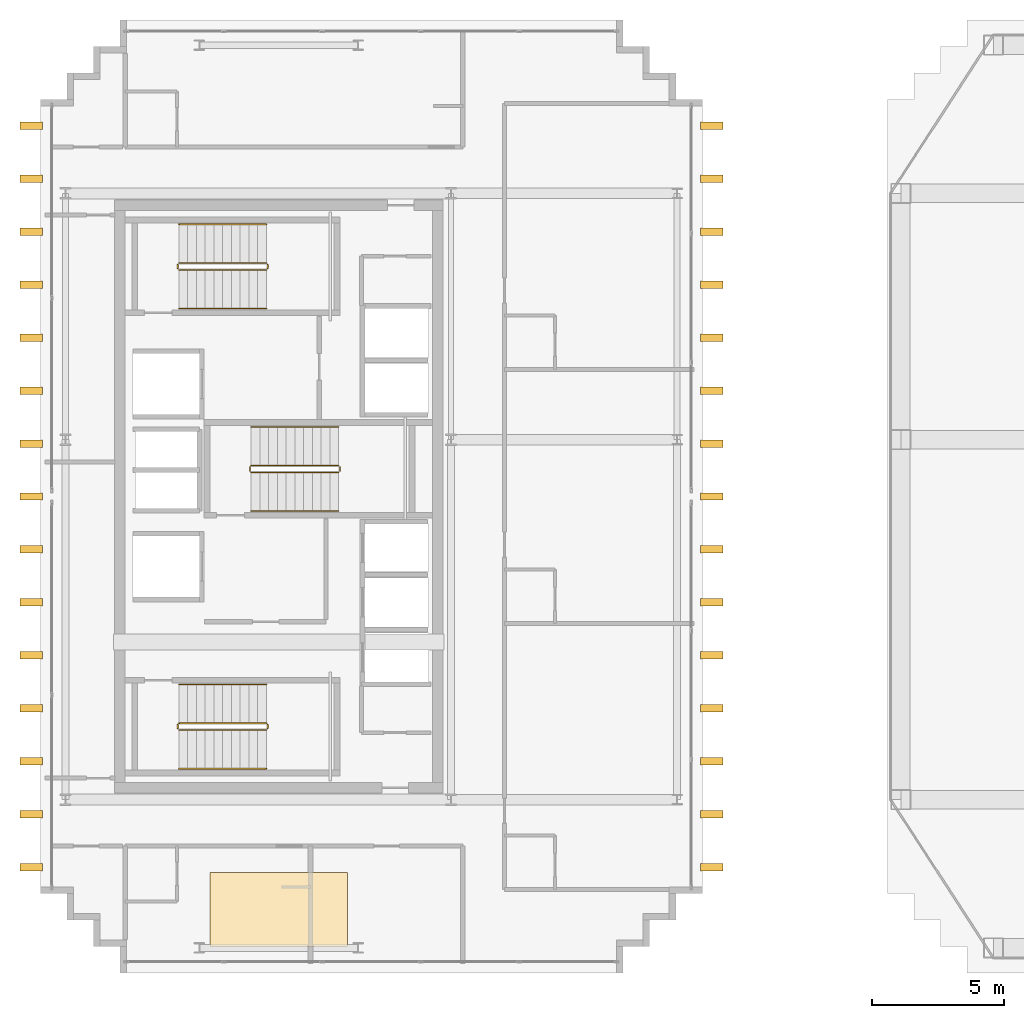
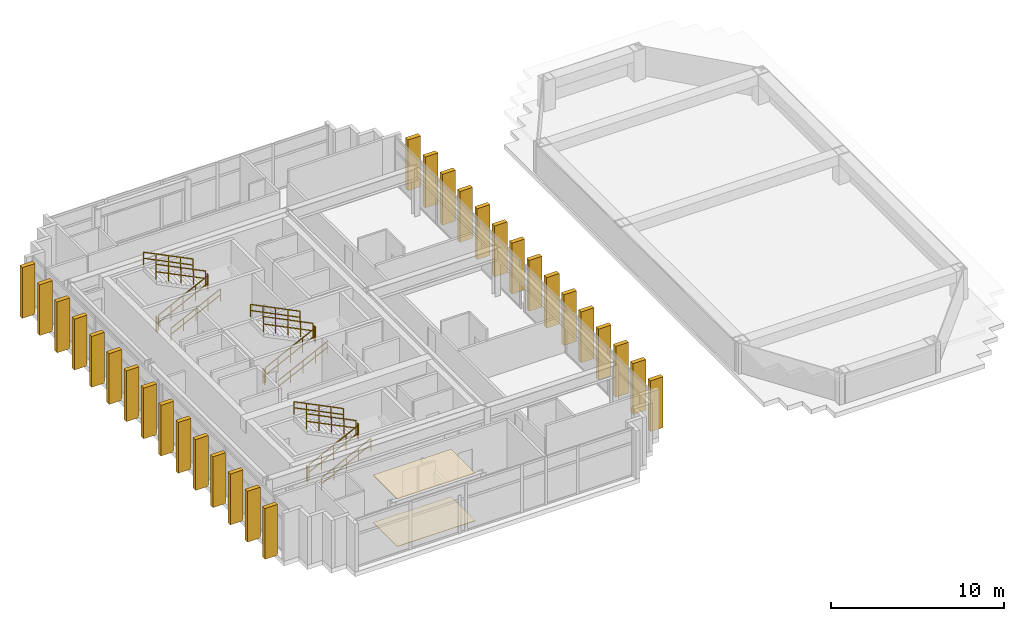
# One storey, part 17 of 17: 30 shading devices, 18 railings, 2 coverings.
"""IFC4 building model written with IfcOpenShell, lengths in metres."""

from ifc_helpers import new_model, si_unit, direction, frame, origin, origin_2d, place, context, subcontext, project, spatial, polyline, rectangle, outline, extrude, source, transform, mapped, material, layer, layer_set, type_object, element, save


model = new_model("IFC4")

# Units and contexts
model_context = context("Model", 3, precision=1e-05, world=origin(), true_north=direction((0.0, 1.0)))
body_context = subcontext(model_context, "Body", "Model", "MODEL_VIEW")
ifc_project = project(units=[si_unit("LENGTHUNIT", "METRE"), si_unit("AREAUNIT", "SQUARE_METRE"), si_unit("VOLUMEUNIT", "CUBIC_METRE"), si_unit("PLANEANGLEUNIT", "RADIAN"), si_unit("MASSUNIT", "GRAM", prefix="KILO")], contexts=[model_context])

# Site, building, storey
site_placement = place(None, origin())
site = spatial("IfcSite", under=ifc_project, at=site_placement, CompositionType="ELEMENT")
building_placement = place(site_placement, origin())
building = spatial("IfcBuilding", under=site, at=building_placement, Name="Ocotamira Hotel", CompositionType="ELEMENT")
storey_placement = place(building_placement, frame((0.0, 0.0, 272.39990234375)))
storey = spatial("IfcBuildingStorey", under=building, at=storey_placement, Name="L69", CompositionType="ELEMENT", Elevation=272.39990234375)

# Coverings
ifc_material_1 = material(Name="Perforated acoustic gypsum ceiling board", Category="gypsum")
ifc_layer_1 = layer(ifc_material_1, 0.02490234375)
ifc_layer_set_1 = layer_set([ifc_layer_1], Name="Perforated acoustic gypsum ceiling board")
covering_type_1 = type_object("IfcCoveringType", Name="COV-CEIL-25", PredefinedType="CEILING", material=ifc_layer_set_1)
covering_1_placement = place(storey_placement, frame((0.0, 0.0, 3.35498046875)))
element("IfcCovering", 1, at=covering_1_placement, inside=storey, type_object=covering_type_1, Name="L69 Acoustic Ceiling", PredefinedType="CEILING", context=body_context, shape_type="SweptSolid", body=[
    extrude(outline(polyline([(14.39990234375, 9.0), (19.60009765625, 9.0), (19.60009765625, 11.800048828125), (14.39990234375, 11.800048828125), (14.39990234375, 9.0)])), origin(), (0.0, 0.0, 1.0), 0.025146484375),
])
ifc_material_2 = material(Name="Honed desert travertine stone flooring", Category="masonry")
ifc_layer_2 = layer(ifc_material_2, 0.030029296875)
ifc_layer_set_2 = layer_set([ifc_layer_2], Name="Honed desert travertine stone flooring")
covering_type_2 = type_object("IfcCoveringType", Name="COV-FLOR-30", PredefinedType="FLOORING", material=ifc_layer_set_2)
covering_2_placement = place(storey_placement, origin())
element("IfcCovering", 2, at=covering_2_placement, inside=storey, type_object=covering_type_2, Name="L69 Honed Stone Floor Finish", PredefinedType="FLOORING", context=body_context, shape_type="SweptSolid", body=[
    extrude(outline(polyline([(14.39990234375, 9.0), (19.60009765625, 9.0), (19.60009765625, 11.800048828125), (14.39990234375, 11.800048828125), (14.39990234375, 9.0)])), origin(), (0.0, 0.0, 1.0), 0.030029296875),
])

# Railings
ifc_material_3 = material(Name="Brushed stainless steel handrail", Category="steel")
railing_type_1 = type_object("IfcRailingType", Name="RL-HAND-900", PredefinedType="HANDRAIL", material=ifc_material_3)
railing_1_placement = place(storey_placement, frame((13.22998046875, 15.719970703125, 0.327392578125)))
element("IfcRailing", 3, at=railing_1_placement, inside=storey, type_object=railing_type_1, Name="L69 ST-1 stair handrail 1", PredefinedType="HANDRAIL", context=body_context, shape_type="SweptSolid", body=[
    extrude(rectangle(XDim=0.048095703125, YDim=0.048095703125, at=origin_2d()), frame((0.0, 0.0, 0.8759765625), z_axis=(0.895920123917, 0.0, 0.444215186098), x_axis=(0.0, 1.0, 0.0)), (0.0, 0.0, 1.0), 3.683349609375),
    extrude(rectangle(XDim=0.048095703125, YDim=0.048095703125, at=origin_2d()), frame((0.0, 0.0, 0.449951171875), z_axis=(0.895920123917, 0.0, 0.444215186098), x_axis=(0.0, 1.0, 0.0)), (0.0, 0.0, 1.0), 3.683349609375),
    extrude(rectangle(XDim=0.0419921875, YDim=0.0419921875, at=origin_2d()), origin(), (0.0, 0.0, 1.0), 0.851806640625),
    extrude(rectangle(XDim=0.0419921875, YDim=0.0419921875, at=origin_2d()), frame((0.824951171875, 0.0, 0.4091796875)), (0.0, 0.0, 1.0), 0.851806640625),
    extrude(rectangle(XDim=0.0419921875, YDim=0.0419921875, at=origin_2d()), frame((1.64990234375, 0.0, 0.818115234375)), (0.0, 0.0, 1.0), 0.851806640625),
    extrude(rectangle(XDim=0.0419921875, YDim=0.0419921875, at=origin_2d()), frame((2.47509765625, 0.0, 1.22705078125)), (0.0, 0.0, 1.0), 0.851806640625),
    extrude(rectangle(XDim=0.0419921875, YDim=0.0419921875, at=origin_2d()), frame((3.300048828125, 0.0, 1.63623046875)), (0.0, 0.0, 1.0), 0.851806640625),
])
railing_2_placement = place(storey_placement, frame((16.530029296875, 18.89990234375, 2.12744140625)))
element("IfcRailing", 4, at=railing_2_placement, inside=storey, type_object=railing_type_1, Name="L69 ST-1 stair handrail 2", PredefinedType="HANDRAIL", context=body_context, shape_type="SweptSolid", body=[
    extrude(rectangle(XDim=0.048095703125, YDim=0.048095703125, at=origin_2d()), frame((0.0, 0.0, 0.8759765625), z_axis=(-0.895920123917, 0.0, 0.444215186098), x_axis=(0.0, -1.0, 0.0)), (0.0, 0.0, 1.0), 3.683349609375),
    extrude(rectangle(XDim=0.048095703125, YDim=0.048095703125, at=origin_2d()), frame((0.0, 0.0, 0.449951171875), z_axis=(-0.895920123917, 0.0, 0.444215186098), x_axis=(0.0, -1.0, 0.0)), (0.0, 0.0, 1.0), 3.683349609375),
    extrude(rectangle(XDim=0.0419921875, YDim=0.0419921875, at=origin_2d()), origin(), (0.0, 0.0, 1.0), 0.851806640625),
    extrude(rectangle(XDim=0.0419921875, YDim=0.0419921875, at=origin_2d()), frame((-0.824951171875, 0.0, 0.4091796875)), (0.0, 0.0, 1.0), 0.851806640625),
    extrude(rectangle(XDim=0.0419921875, YDim=0.0419921875, at=origin_2d()), frame((-1.64990234375, 0.0, 0.818115234375)), (0.0, 0.0, 1.0), 0.851806640625),
    extrude(rectangle(XDim=0.0419921875, YDim=0.0419921875, at=origin_2d()), frame((-2.47509765625, 0.0, 1.22705078125)), (0.0, 0.0, 1.0), 0.851806640625),
    extrude(rectangle(XDim=0.0419921875, YDim=0.0419921875, at=origin_2d()), frame((-3.300048828125, 0.0, 1.63623046875)), (0.0, 0.0, 1.0), 0.851806640625),
])
railing_3_placement = place(storey_placement, frame((13.22998046875, 33.10009765625, 0.327392578125)))
element("IfcRailing", 5, at=railing_3_placement, inside=storey, type_object=railing_type_1, Name="L69 ST-2 stair handrail 1", PredefinedType="HANDRAIL", context=body_context, shape_type="SweptSolid", body=[
    extrude(rectangle(XDim=0.048095703125, YDim=0.048095703125, at=origin_2d()), frame((0.0, 0.0, 0.8759765625), z_axis=(0.895920123917, 0.0, 0.444215186098), x_axis=(0.0, 1.0, 0.0)), (0.0, 0.0, 1.0), 3.683349609375),
    extrude(rectangle(XDim=0.048095703125, YDim=0.048095703125, at=origin_2d()), frame((0.0, 0.0, 0.449951171875), z_axis=(0.895920123917, 0.0, 0.444215186098), x_axis=(0.0, 1.0, 0.0)), (0.0, 0.0, 1.0), 3.683349609375),
    extrude(rectangle(XDim=0.0419921875, YDim=0.0419921875, at=origin_2d()), origin(), (0.0, 0.0, 1.0), 0.851806640625),
    extrude(rectangle(XDim=0.0419921875, YDim=0.0419921875, at=origin_2d()), frame((0.824951171875, 0.0, 0.4091796875)), (0.0, 0.0, 1.0), 0.851806640625),
    extrude(rectangle(XDim=0.0419921875, YDim=0.0419921875, at=origin_2d()), frame((1.64990234375, 0.0, 0.818115234375)), (0.0, 0.0, 1.0), 0.851806640625),
    extrude(rectangle(XDim=0.0419921875, YDim=0.0419921875, at=origin_2d()), frame((2.47509765625, 0.0, 1.22705078125)), (0.0, 0.0, 1.0), 0.851806640625),
    extrude(rectangle(XDim=0.0419921875, YDim=0.0419921875, at=origin_2d()), frame((3.300048828125, 0.0, 1.63623046875)), (0.0, 0.0, 1.0), 0.851806640625),
])
railing_4_placement = place(storey_placement, frame((16.530029296875, 36.280029296875, 2.12744140625)))
element("IfcRailing", 6, at=railing_4_placement, inside=storey, type_object=railing_type_1, Name="L69 ST-2 stair handrail 2", PredefinedType="HANDRAIL", context=body_context, shape_type="SweptSolid", body=[
    extrude(rectangle(XDim=0.048095703125, YDim=0.048095703125, at=origin_2d()), frame((0.0, 0.0, 0.8759765625), z_axis=(-0.895920123917, 0.0, 0.444215186098), x_axis=(0.0, -1.0, 0.0)), (0.0, 0.0, 1.0), 3.683349609375),
    extrude(rectangle(XDim=0.048095703125, YDim=0.048095703125, at=origin_2d()), frame((0.0, 0.0, 0.449951171875), z_axis=(-0.895920123917, 0.0, 0.444215186098), x_axis=(0.0, -1.0, 0.0)), (0.0, 0.0, 1.0), 3.683349609375),
    extrude(rectangle(XDim=0.0419921875, YDim=0.0419921875, at=origin_2d()), origin(), (0.0, 0.0, 1.0), 0.851806640625),
    extrude(rectangle(XDim=0.0419921875, YDim=0.0419921875, at=origin_2d()), frame((-0.824951171875, 0.0, 0.4091796875)), (0.0, 0.0, 1.0), 0.851806640625),
    extrude(rectangle(XDim=0.0419921875, YDim=0.0419921875, at=origin_2d()), frame((-1.64990234375, 0.0, 0.818115234375)), (0.0, 0.0, 1.0), 0.851806640625),
    extrude(rectangle(XDim=0.0419921875, YDim=0.0419921875, at=origin_2d()), frame((-2.47509765625, 0.0, 1.22705078125)), (0.0, 0.0, 1.0), 0.851806640625),
    extrude(rectangle(XDim=0.0419921875, YDim=0.0419921875, at=origin_2d()), frame((-3.300048828125, 0.0, 1.63623046875)), (0.0, 0.0, 1.0), 0.851806640625),
])
railing_5_placement = place(storey_placement, frame((15.9599609375, 25.449951171875, 0.327392578125)))
element("IfcRailing", 7, at=railing_5_placement, inside=storey, type_object=railing_type_1, Name="L69 ST-3 stair handrail 1", PredefinedType="HANDRAIL", context=body_context, shape_type="SweptSolid", body=[
    extrude(rectangle(XDim=0.048095703125, YDim=0.048095703125, at=origin_2d()), frame((0.0, 0.0, 0.8759765625), z_axis=(0.895920123917, 0.0, 0.444215186098), x_axis=(0.0, 1.0, 0.0)), (0.0, 0.0, 1.0), 3.683349609375),
    extrude(rectangle(XDim=0.048095703125, YDim=0.048095703125, at=origin_2d()), frame((0.0, 0.0, 0.449951171875), z_axis=(0.895920123917, 0.0, 0.444215186098), x_axis=(0.0, 1.0, 0.0)), (0.0, 0.0, 1.0), 3.683349609375),
    extrude(rectangle(XDim=0.0419921875, YDim=0.0419921875, at=origin_2d()), origin(), (0.0, 0.0, 1.0), 0.851806640625),
    extrude(rectangle(XDim=0.0419921875, YDim=0.0419921875, at=origin_2d()), frame((0.824951171875, 0.0, 0.4091796875)), (0.0, 0.0, 1.0), 0.851806640625),
    extrude(rectangle(XDim=0.0419921875, YDim=0.0419921875, at=origin_2d()), frame((1.64990234375, 0.0, 0.818115234375)), (0.0, 0.0, 1.0), 0.851806640625),
    extrude(rectangle(XDim=0.0419921875, YDim=0.0419921875, at=origin_2d()), frame((2.47509765625, 0.0, 1.22705078125)), (0.0, 0.0, 1.0), 0.851806640625),
    extrude(rectangle(XDim=0.0419921875, YDim=0.0419921875, at=origin_2d()), frame((3.300048828125, 0.0, 1.63623046875)), (0.0, 0.0, 1.0), 0.851806640625),
])
railing_6_placement = place(storey_placement, frame((19.260009765625, 28.6298828125, 2.12744140625)))
element("IfcRailing", 8, at=railing_6_placement, inside=storey, type_object=railing_type_1, Name="L69 ST-3 stair handrail 2", PredefinedType="HANDRAIL", context=body_context, shape_type="SweptSolid", body=[
    extrude(rectangle(XDim=0.048095703125, YDim=0.048095703125, at=origin_2d()), frame((0.0, 0.0, 0.8759765625), z_axis=(-0.895920123917, 0.0, 0.444215186098), x_axis=(0.0, -1.0, 0.0)), (0.0, 0.0, 1.0), 3.683349609375),
    extrude(rectangle(XDim=0.048095703125, YDim=0.048095703125, at=origin_2d()), frame((0.0, 0.0, 0.449951171875), z_axis=(-0.895920123917, 0.0, 0.444215186098), x_axis=(0.0, -1.0, 0.0)), (0.0, 0.0, 1.0), 3.683349609375),
    extrude(rectangle(XDim=0.0419921875, YDim=0.0419921875, at=origin_2d()), origin(), (0.0, 0.0, 1.0), 0.851806640625),
    extrude(rectangle(XDim=0.0419921875, YDim=0.0419921875, at=origin_2d()), frame((-0.824951171875, 0.0, 0.4091796875)), (0.0, 0.0, 1.0), 0.851806640625),
    extrude(rectangle(XDim=0.0419921875, YDim=0.0419921875, at=origin_2d()), frame((-1.64990234375, 0.0, 0.818115234375)), (0.0, 0.0, 1.0), 0.851806640625),
    extrude(rectangle(XDim=0.0419921875, YDim=0.0419921875, at=origin_2d()), frame((-2.47509765625, 0.0, 1.22705078125)), (0.0, 0.0, 1.0), 0.851806640625),
    extrude(rectangle(XDim=0.0419921875, YDim=0.0419921875, at=origin_2d()), frame((-3.300048828125, 0.0, 1.63623046875)), (0.0, 0.0, 1.0), 0.851806640625),
])
ifc_material_4 = material(Name="Painted steel stair guardrail", Category="steel")
railing_type_2 = type_object("IfcRailingType", Name="RL-STAIR-1100", PredefinedType="GUARDRAIL", material=ifc_material_4)
railing_7_placement = place(storey_placement, frame((13.22998046875, 17.179931640625, 0.163818359375)))
element("IfcRailing", 9, at=railing_7_placement, inside=storey, type_object=railing_type_2, Name="L69 ST-1 stair guard 1", PredefinedType="GUARDRAIL", context=body_context, shape_type="SweptSolid", body=[
    extrude(rectangle(XDim=0.048095703125, YDim=0.048095703125, at=origin_2d()), frame((0.0, 0.0, 1.076171875), z_axis=(0.895920123917, 0.0, 0.444215186098), x_axis=(0.0, 1.0, 0.0)), (0.0, 0.0, 1.0), 3.683349609375),
    extrude(rectangle(XDim=0.048095703125, YDim=0.048095703125, at=origin_2d()), frame((0.0, 0.0, 0.550048828125), z_axis=(0.895920123917, 0.0, 0.444215186098), x_axis=(0.0, 1.0, 0.0)), (0.0, 0.0, 1.0), 3.683349609375),
    extrude(rectangle(XDim=0.0419921875, YDim=0.0419921875, at=origin_2d()), origin(), (0.0, 0.0, 1.0), 1.052001953125),
    extrude(rectangle(XDim=0.0419921875, YDim=0.0419921875, at=origin_2d()), frame((0.824951171875, 0.0, 0.4091796875)), (0.0, 0.0, 1.0), 1.052001953125),
    extrude(rectangle(XDim=0.0419921875, YDim=0.0419921875, at=origin_2d()), frame((1.64990234375, 0.0, 0.818115234375)), (0.0, 0.0, 1.0), 1.052001953125),
    extrude(rectangle(XDim=0.0419921875, YDim=0.0419921875, at=origin_2d()), frame((2.47509765625, 0.0, 1.22705078125)), (0.0, 0.0, 1.0), 1.052001953125),
    extrude(rectangle(XDim=0.0419921875, YDim=0.0419921875, at=origin_2d()), frame((3.300048828125, 0.0, 1.63623046875)), (0.0, 0.0, 1.0), 1.052001953125),
])
railing_8_placement = place(storey_placement, frame((16.580078125, 17.22998046875, 1.800048828125)))
element("IfcRailing", 10, at=railing_8_placement, inside=storey, type_object=railing_type_2, Name="L69 ST-1 stair guard 2", PredefinedType="GUARDRAIL", context=body_context, shape_type="SweptSolid", body=[
    extrude(rectangle(XDim=0.048095703125, YDim=0.048095703125, at=origin_2d()), frame((0.0, 0.0, 1.076171875), z_axis=(0.0, 1.0, 0.0), x_axis=(-1.0, 0.0, 0.0)), (0.0, 0.0, 1.0), 0.159912109375),
    extrude(rectangle(XDim=0.048095703125, YDim=0.048095703125, at=origin_2d()), frame((0.0, 0.0, 0.550048828125), z_axis=(0.0, 1.0, 0.0), x_axis=(-1.0, 0.0, 0.0)), (0.0, 0.0, 1.0), 0.159912109375),
    extrude(rectangle(XDim=0.0419921875, YDim=0.0419921875, at=origin_2d()), origin(), (0.0, 0.0, 1.0), 1.052001953125),
    extrude(rectangle(XDim=0.0419921875, YDim=0.0419921875, at=origin_2d()), frame((0.0, 0.159912109375, 0.0)), (0.0, 0.0, 1.0), 1.052001953125),
])
railing_9_placement = place(storey_placement, frame((16.530029296875, 17.43994140625, 1.963623046875)))
element("IfcRailing", 11, at=railing_9_placement, inside=storey, type_object=railing_type_2, Name="L69 ST-1 stair guard 3", PredefinedType="GUARDRAIL", context=body_context, shape_type="SweptSolid", body=[
    extrude(rectangle(XDim=0.048095703125, YDim=0.048095703125, at=origin_2d()), frame((0.0, 0.0, 1.076171875), z_axis=(-0.895893744519, 0.0, 0.4442683857), x_axis=(0.0, -1.0, 0.0)), (0.0, 0.0, 1.0), 3.68359375),
    extrude(rectangle(XDim=0.048095703125, YDim=0.048095703125, at=origin_2d()), frame((0.0, 0.0, 0.550048828125), z_axis=(-0.895893744519, 0.0, 0.4442683857), x_axis=(0.0, -1.0, 0.0)), (0.0, 0.0, 1.0), 3.68359375),
    extrude(rectangle(XDim=0.0419921875, YDim=0.0419921875, at=origin_2d()), origin(), (0.0, 0.0, 1.0), 1.052001953125),
    extrude(rectangle(XDim=0.0419921875, YDim=0.0419921875, at=origin_2d()), frame((-0.824951171875, 0.0, 0.4091796875)), (0.0, 0.0, 1.0), 1.052001953125),
    extrude(rectangle(XDim=0.0419921875, YDim=0.0419921875, at=origin_2d()), frame((-1.64990234375, 0.0, 0.818359375)), (0.0, 0.0, 1.0), 1.052001953125),
    extrude(rectangle(XDim=0.0419921875, YDim=0.0419921875, at=origin_2d()), frame((-2.47509765625, 0.0, 1.227294921875)), (0.0, 0.0, 1.0), 1.052001953125),
    extrude(rectangle(XDim=0.0419921875, YDim=0.0419921875, at=origin_2d()), frame((-3.300048828125, 0.0, 1.636474609375)), (0.0, 0.0, 1.0), 1.052001953125),
])
railing_10_placement = place(storey_placement, frame((13.179931640625, 17.22998046875, 0.0)))
element("IfcRailing", 12, at=railing_10_placement, inside=storey, type_object=railing_type_2, Name="L69 ST-1 stair guard 4", PredefinedType="GUARDRAIL", context=body_context, shape_type="SweptSolid", body=[
    extrude(rectangle(XDim=0.048095703125, YDim=0.048095703125, at=origin_2d()), frame((0.0, 0.0, 1.076171875), z_axis=(0.0, 1.0, 0.0), x_axis=(-1.0, 0.0, 0.0)), (0.0, 0.0, 1.0), 0.159912109375),
    extrude(rectangle(XDim=0.048095703125, YDim=0.048095703125, at=origin_2d()), frame((0.0, 0.0, 0.550048828125), z_axis=(0.0, 1.0, 0.0), x_axis=(-1.0, 0.0, 0.0)), (0.0, 0.0, 1.0), 0.159912109375),
    extrude(rectangle(XDim=0.0419921875, YDim=0.0419921875, at=origin_2d()), origin(), (0.0, 0.0, 1.0), 1.052001953125),
    extrude(rectangle(XDim=0.0419921875, YDim=0.0419921875, at=origin_2d()), frame((0.0, 0.159912109375, 0.0)), (0.0, 0.0, 1.0), 1.052001953125),
])
railing_11_placement = place(storey_placement, frame((13.22998046875, 34.56005859375, 0.163818359375)))
element("IfcRailing", 13, at=railing_11_placement, inside=storey, type_object=railing_type_2, Name="L69 ST-2 stair guard 1", PredefinedType="GUARDRAIL", context=body_context, shape_type="SweptSolid", body=[
    extrude(rectangle(XDim=0.048095703125, YDim=0.048095703125, at=origin_2d()), frame((0.0, 0.0, 1.076171875), z_axis=(0.895920123917, 0.0, 0.444215186098), x_axis=(0.0, 1.0, 0.0)), (0.0, 0.0, 1.0), 3.683349609375),
    extrude(rectangle(XDim=0.048095703125, YDim=0.048095703125, at=origin_2d()), frame((0.0, 0.0, 0.550048828125), z_axis=(0.895920123917, 0.0, 0.444215186098), x_axis=(0.0, 1.0, 0.0)), (0.0, 0.0, 1.0), 3.683349609375),
    extrude(rectangle(XDim=0.0419921875, YDim=0.0419921875, at=origin_2d()), origin(), (0.0, 0.0, 1.0), 1.052001953125),
    extrude(rectangle(XDim=0.0419921875, YDim=0.0419921875, at=origin_2d()), frame((0.824951171875, 0.0, 0.4091796875)), (0.0, 0.0, 1.0), 1.052001953125),
    extrude(rectangle(XDim=0.0419921875, YDim=0.0419921875, at=origin_2d()), frame((1.64990234375, 0.0, 0.818115234375)), (0.0, 0.0, 1.0), 1.052001953125),
    extrude(rectangle(XDim=0.0419921875, YDim=0.0419921875, at=origin_2d()), frame((2.47509765625, 0.0, 1.22705078125)), (0.0, 0.0, 1.0), 1.052001953125),
    extrude(rectangle(XDim=0.0419921875, YDim=0.0419921875, at=origin_2d()), frame((3.300048828125, 0.0, 1.63623046875)), (0.0, 0.0, 1.0), 1.052001953125),
])
railing_12_placement = place(storey_placement, frame((16.580078125, 34.610107421875, 1.800048828125)))
element("IfcRailing", 14, at=railing_12_placement, inside=storey, type_object=railing_type_2, Name="L69 ST-2 stair guard 2", PredefinedType="GUARDRAIL", context=body_context, shape_type="SweptSolid", body=[
    extrude(rectangle(XDim=0.048095703125, YDim=0.048095703125, at=origin_2d()), frame((0.0, 0.0, 1.076171875), z_axis=(0.0, 1.0, 0.0), x_axis=(-1.0, 0.0, 0.0)), (0.0, 0.0, 1.0), 0.159912109375),
    extrude(rectangle(XDim=0.048095703125, YDim=0.048095703125, at=origin_2d()), frame((0.0, 0.0, 0.550048828125), z_axis=(0.0, 1.0, 0.0), x_axis=(-1.0, 0.0, 0.0)), (0.0, 0.0, 1.0), 0.159912109375),
    extrude(rectangle(XDim=0.0419921875, YDim=0.0419921875, at=origin_2d()), origin(), (0.0, 0.0, 1.0), 1.052001953125),
    extrude(rectangle(XDim=0.0419921875, YDim=0.0419921875, at=origin_2d()), frame((0.0, 0.159912109375, 0.0)), (0.0, 0.0, 1.0), 1.052001953125),
])
railing_13_placement = place(storey_placement, frame((16.530029296875, 34.820068359375, 1.963623046875)))
element("IfcRailing", 15, at=railing_13_placement, inside=storey, type_object=railing_type_2, Name="L69 ST-2 stair guard 3", PredefinedType="GUARDRAIL", context=body_context, shape_type="SweptSolid", body=[
    extrude(rectangle(XDim=0.048095703125, YDim=0.048095703125, at=origin_2d()), frame((0.0, 0.0, 1.076171875), z_axis=(-0.895893744519, 0.0, 0.4442683857), x_axis=(0.0, -1.0, 0.0)), (0.0, 0.0, 1.0), 3.68359375),
    extrude(rectangle(XDim=0.048095703125, YDim=0.048095703125, at=origin_2d()), frame((0.0, 0.0, 0.550048828125), z_axis=(-0.895893744519, 0.0, 0.4442683857), x_axis=(0.0, -1.0, 0.0)), (0.0, 0.0, 1.0), 3.68359375),
    extrude(rectangle(XDim=0.0419921875, YDim=0.0419921875, at=origin_2d()), origin(), (0.0, 0.0, 1.0), 1.052001953125),
    extrude(rectangle(XDim=0.0419921875, YDim=0.0419921875, at=origin_2d()), frame((-0.824951171875, 0.0, 0.4091796875)), (0.0, 0.0, 1.0), 1.052001953125),
    extrude(rectangle(XDim=0.0419921875, YDim=0.0419921875, at=origin_2d()), frame((-1.64990234375, 0.0, 0.818359375)), (0.0, 0.0, 1.0), 1.052001953125),
    extrude(rectangle(XDim=0.0419921875, YDim=0.0419921875, at=origin_2d()), frame((-2.47509765625, 0.0, 1.227294921875)), (0.0, 0.0, 1.0), 1.052001953125),
    extrude(rectangle(XDim=0.0419921875, YDim=0.0419921875, at=origin_2d()), frame((-3.300048828125, 0.0, 1.636474609375)), (0.0, 0.0, 1.0), 1.052001953125),
])
railing_14_placement = place(storey_placement, frame((13.179931640625, 34.610107421875, 0.0)))
element("IfcRailing", 16, at=railing_14_placement, inside=storey, type_object=railing_type_2, Name="L69 ST-2 stair guard 4", PredefinedType="GUARDRAIL", context=body_context, shape_type="SweptSolid", body=[
    extrude(rectangle(XDim=0.048095703125, YDim=0.048095703125, at=origin_2d()), frame((0.0, 0.0, 1.076171875), z_axis=(0.0, 1.0, 0.0), x_axis=(-1.0, 0.0, 0.0)), (0.0, 0.0, 1.0), 0.159912109375),
    extrude(rectangle(XDim=0.048095703125, YDim=0.048095703125, at=origin_2d()), frame((0.0, 0.0, 0.550048828125), z_axis=(0.0, 1.0, 0.0), x_axis=(-1.0, 0.0, 0.0)), (0.0, 0.0, 1.0), 0.159912109375),
    extrude(rectangle(XDim=0.0419921875, YDim=0.0419921875, at=origin_2d()), origin(), (0.0, 0.0, 1.0), 1.052001953125),
    extrude(rectangle(XDim=0.0419921875, YDim=0.0419921875, at=origin_2d()), frame((0.0, 0.159912109375, 0.0)), (0.0, 0.0, 1.0), 1.052001953125),
])
railing_15_placement = place(storey_placement, frame((15.9599609375, 26.909912109375, 0.163818359375)))
element("IfcRailing", 17, at=railing_15_placement, inside=storey, type_object=railing_type_2, Name="L69 ST-3 stair guard 1", PredefinedType="GUARDRAIL", context=body_context, shape_type="SweptSolid", body=[
    extrude(rectangle(XDim=0.048095703125, YDim=0.048095703125, at=origin_2d()), frame((0.0, 0.0, 1.076171875), z_axis=(0.895920123917, 0.0, 0.444215186098), x_axis=(0.0, 1.0, 0.0)), (0.0, 0.0, 1.0), 3.683349609375),
    extrude(rectangle(XDim=0.048095703125, YDim=0.048095703125, at=origin_2d()), frame((0.0, 0.0, 0.550048828125), z_axis=(0.895920123917, 0.0, 0.444215186098), x_axis=(0.0, 1.0, 0.0)), (0.0, 0.0, 1.0), 3.683349609375),
    extrude(rectangle(XDim=0.0419921875, YDim=0.0419921875, at=origin_2d()), origin(), (0.0, 0.0, 1.0), 1.052001953125),
    extrude(rectangle(XDim=0.0419921875, YDim=0.0419921875, at=origin_2d()), frame((0.824951171875, 0.0, 0.4091796875)), (0.0, 0.0, 1.0), 1.052001953125),
    extrude(rectangle(XDim=0.0419921875, YDim=0.0419921875, at=origin_2d()), frame((1.64990234375, 0.0, 0.818115234375)), (0.0, 0.0, 1.0), 1.052001953125),
    extrude(rectangle(XDim=0.0419921875, YDim=0.0419921875, at=origin_2d()), frame((2.47509765625, 0.0, 1.22705078125)), (0.0, 0.0, 1.0), 1.052001953125),
    extrude(rectangle(XDim=0.0419921875, YDim=0.0419921875, at=origin_2d()), frame((3.300048828125, 0.0, 1.63623046875)), (0.0, 0.0, 1.0), 1.052001953125),
])
railing_16_placement = place(storey_placement, frame((19.31005859375, 26.9599609375, 1.800048828125)))
element("IfcRailing", 18, at=railing_16_placement, inside=storey, type_object=railing_type_2, Name="L69 ST-3 stair guard 2", PredefinedType="GUARDRAIL", context=body_context, shape_type="SweptSolid", body=[
    extrude(rectangle(XDim=0.048095703125, YDim=0.048095703125, at=origin_2d()), frame((0.0, 0.0, 1.076171875), z_axis=(0.0, 1.0, 0.0), x_axis=(-1.0, 0.0, 0.0)), (0.0, 0.0, 1.0), 0.16015625),
    extrude(rectangle(XDim=0.048095703125, YDim=0.048095703125, at=origin_2d()), frame((0.0, 0.0, 0.550048828125), z_axis=(0.0, 1.0, 0.0), x_axis=(-1.0, 0.0, 0.0)), (0.0, 0.0, 1.0), 0.16015625),
    extrude(rectangle(XDim=0.0419921875, YDim=0.0419921875, at=origin_2d()), origin(), (0.0, 0.0, 1.0), 1.052001953125),
    extrude(rectangle(XDim=0.0419921875, YDim=0.0419921875, at=origin_2d()), frame((0.0, 0.16015625, 0.0)), (0.0, 0.0, 1.0), 1.052001953125),
])
railing_17_placement = place(storey_placement, frame((19.260009765625, 27.169921875, 1.963623046875)))
element("IfcRailing", 19, at=railing_17_placement, inside=storey, type_object=railing_type_2, Name="L69 ST-3 stair guard 3", PredefinedType="GUARDRAIL", context=body_context, shape_type="SweptSolid", body=[
    extrude(rectangle(XDim=0.048095703125, YDim=0.048095703125, at=origin_2d()), frame((0.0, 0.0, 1.076171875), z_axis=(-0.895893744519, 0.0, 0.4442683857), x_axis=(0.0, -1.0, 0.0)), (0.0, 0.0, 1.0), 3.68359375),
    extrude(rectangle(XDim=0.048095703125, YDim=0.048095703125, at=origin_2d()), frame((0.0, 0.0, 0.550048828125), z_axis=(-0.895893744519, 0.0, 0.4442683857), x_axis=(0.0, -1.0, 0.0)), (0.0, 0.0, 1.0), 3.68359375),
    extrude(rectangle(XDim=0.0419921875, YDim=0.0419921875, at=origin_2d()), origin(), (0.0, 0.0, 1.0), 1.052001953125),
    extrude(rectangle(XDim=0.0419921875, YDim=0.0419921875, at=origin_2d()), frame((-0.824951171875, 0.0, 0.4091796875)), (0.0, 0.0, 1.0), 1.052001953125),
    extrude(rectangle(XDim=0.0419921875, YDim=0.0419921875, at=origin_2d()), frame((-1.64990234375, 0.0, 0.818359375)), (0.0, 0.0, 1.0), 1.052001953125),
    extrude(rectangle(XDim=0.0419921875, YDim=0.0419921875, at=origin_2d()), frame((-2.47509765625, 0.0, 1.227294921875)), (0.0, 0.0, 1.0), 1.052001953125),
    extrude(rectangle(XDim=0.0419921875, YDim=0.0419921875, at=origin_2d()), frame((-3.300048828125, 0.0, 1.636474609375)), (0.0, 0.0, 1.0), 1.052001953125),
])
railing_18_placement = place(storey_placement, frame((15.909912109375, 26.9599609375, 0.0)))
element("IfcRailing", 20, at=railing_18_placement, inside=storey, type_object=railing_type_2, Name="L69 ST-3 stair guard 4", PredefinedType="GUARDRAIL", context=body_context, shape_type="SweptSolid", body=[
    extrude(rectangle(XDim=0.048095703125, YDim=0.048095703125, at=origin_2d()), frame((0.0, 0.0, 1.076171875), z_axis=(0.0, 1.0, 0.0), x_axis=(-1.0, 0.0, 0.0)), (0.0, 0.0, 1.0), 0.16015625),
    extrude(rectangle(XDim=0.048095703125, YDim=0.048095703125, at=origin_2d()), frame((0.0, 0.0, 0.550048828125), z_axis=(0.0, 1.0, 0.0), x_axis=(-1.0, 0.0, 0.0)), (0.0, 0.0, 1.0), 0.16015625),
    extrude(rectangle(XDim=0.0419921875, YDim=0.0419921875, at=origin_2d()), origin(), (0.0, 0.0, 1.0), 1.052001953125),
    extrude(rectangle(XDim=0.0419921875, YDim=0.0419921875, at=origin_2d()), frame((0.0, 0.16015625, 0.0)), (0.0, 0.0, 1.0), 1.052001953125),
])

# Shading devices
ifc_material_5 = material(Name="Pale-metal anodised aluminium architectural fin", Category="aluminium")
shading_device_type = type_object("IfcShadingDeviceType", Name="SHD-PIER-850", PredefinedType="USERDEFINED", material=ifc_material_5)
shared_shape = source(origin(), body_context, "Body", "SweptSolid", [
    extrude(rectangle(XDim=0.85009765625, YDim=0.280029296875, at=origin_2d()), origin(), (0.0, 0.0, 1.0), 3.580078125),
])
for number, where, z_axis, x_axis, name in (
    (21, (7.64990234375, 12.0, -0.099853515625), (0.0, 0.0, 1.0), (1.0, 0.0, 0.0), "L69 West Peak Vertical Pier X7 Y12"),
    (22, (33.35009765625, 12.0, -0.099853515625), (0.0, 0.0, 1.0), (1.0, 0.0, 0.0), "L69 West Peak Vertical Pier X33 Y12"),
    (23, (7.64990234375, 14.0, -0.099853515625), (0.0, 0.0, 1.0), (1.0, 0.0, 0.0), "L69 West Peak Vertical Pier X7 Y14"),
    (24, (33.35009765625, 14.0, -0.099853515625), (0.0, 0.0, 1.0), (1.0, 0.0, 0.0), "L69 West Peak Vertical Pier X33 Y14"),
    (25, (7.64990234375, 16.0, -0.099853515625), (0.0, 0.0, 1.0), (1.0, 0.0, 0.0), "L69 West Peak Vertical Pier X7 Y16"),
    (26, (33.35009765625, 16.0, -0.099853515625), (0.0, 0.0, 1.0), (1.0, 0.0, 0.0), "L69 West Peak Vertical Pier X33 Y16"),
    (27, (7.64990234375, 18.0, -0.099853515625), (0.0, 0.0, 1.0), (1.0, 0.0, 0.0), "L69 West Peak Vertical Pier X7 Y18"),
    (28, (33.35009765625, 18.0, -0.099853515625), (0.0, 0.0, 1.0), (1.0, 0.0, 0.0), "L69 West Peak Vertical Pier X33 Y18"),
    (29, (7.64990234375, 20.0, -0.099853515625), (0.0, 0.0, 1.0), (1.0, 0.0, 0.0), "L69 West Peak Vertical Pier X7 Y20"),
    (30, (33.35009765625, 20.0, -0.099853515625), (0.0, 0.0, 1.0), (1.0, 0.0, 0.0), "L69 West Peak Vertical Pier X33 Y20"),
    (31, (7.64990234375, 22.0, -0.099853515625), (0.0, 0.0, 1.0), (1.0, 0.0, 0.0), "L69 West Peak Vertical Pier X7 Y22"),
    (32, (33.35009765625, 22.0, -0.099853515625), (0.0, 0.0, 1.0), (1.0, 0.0, 0.0), "L69 West Peak Vertical Pier X33 Y22"),
    (33, (7.64990234375, 24.0, -0.099853515625), (0.0, 0.0, 1.0), (1.0, 0.0, 0.0), "L69 West Peak Vertical Pier X7 Y24"),
    (34, (33.35009765625, 24.0, -0.099853515625), (0.0, 0.0, 1.0), (1.0, 0.0, 0.0), "L69 West Peak Vertical Pier X33 Y24"),
    (35, (7.64990234375, 26.0, -0.099853515625), (0.0, 0.0, 1.0), (1.0, 0.0, 0.0), "L69 West Peak Vertical Pier X7 Y26"),
    (36, (33.35009765625, 26.0, -0.099853515625), (0.0, 0.0, 1.0), (1.0, 0.0, 0.0), "L69 West Peak Vertical Pier X33 Y26"),
    (37, (7.64990234375, 28.0, -0.099853515625), (0.0, 0.0, 1.0), (1.0, 0.0, 0.0), "L69 West Peak Vertical Pier X7 Y28"),
    (38, (33.35009765625, 28.0, -0.099853515625), (0.0, 0.0, 1.0), (1.0, 0.0, 0.0), "L69 West Peak Vertical Pier X33 Y28"),
    (39, (7.64990234375, 30.0, -0.099853515625), (0.0, 0.0, 1.0), (1.0, 0.0, 0.0), "L69 West Peak Vertical Pier X7 Y30"),
    (40, (33.35009765625, 30.0, -0.099853515625), (0.0, 0.0, 1.0), (1.0, 0.0, 0.0), "L69 West Peak Vertical Pier X33 Y30"),
    (41, (7.64990234375, 32.0, -0.099853515625), (0.0, 0.0, 1.0), (1.0, 0.0, 0.0), "L69 West Peak Vertical Pier X7 Y32"),
    (42, (33.35009765625, 32.0, -0.099853515625), (0.0, 0.0, 1.0), (1.0, 0.0, 0.0), "L69 West Peak Vertical Pier X33 Y32"),
    (43, (7.64990234375, 34.0, -0.099853515625), (0.0, 0.0, 1.0), (1.0, 0.0, 0.0), "L69 West Peak Vertical Pier X7 Y34"),
    (44, (33.35009765625, 34.0, -0.099853515625), (0.0, 0.0, 1.0), (1.0, 0.0, 0.0), "L69 West Peak Vertical Pier X33 Y34"),
    (45, (7.64990234375, 36.0, -0.099853515625), (0.0, 0.0, 1.0), (1.0, 0.0, 0.0), "L69 West Peak Vertical Pier X7 Y36"),
    (46, (33.35009765625, 36.0, -0.099853515625), (0.0, 0.0, 1.0), (1.0, 0.0, 0.0), "L69 West Peak Vertical Pier X33 Y36"),
    (47, (7.64990234375, 38.0, -0.099853515625), (0.0, 0.0, 1.0), (1.0, 0.0, 0.0), "L69 West Peak Vertical Pier X7 Y38"),
    (48, (33.35009765625, 38.0, -0.099853515625), (0.0, 0.0, 1.0), (1.0, 0.0, 0.0), "L69 West Peak Vertical Pier X33 Y38"),
    (49, (7.64990234375, 40.0, -0.099853515625), (0.0, 0.0, 1.0), (1.0, 0.0, 0.0), "L69 West Peak Vertical Pier X7 Y40"),
    (50, (33.35009765625, 40.0, -0.099853515625), (0.0, 0.0, 1.0), (1.0, 0.0, 0.0), "L69 West Peak Vertical Pier X33 Y40"),
):
    element("IfcShadingDevice", number, at=place(storey_placement, frame(where, z_axis=z_axis, x_axis=x_axis)), inside=storey, type_object=shading_device_type, Name=name, ObjectType="FIN", PredefinedType="USERDEFINED", context=body_context, shape_type="MappedRepresentation", body=[
        mapped(shared_shape, transform((0.0, 0.0, 0.0), scale=1.0)),
    ])

save(model, "model.ifc")
